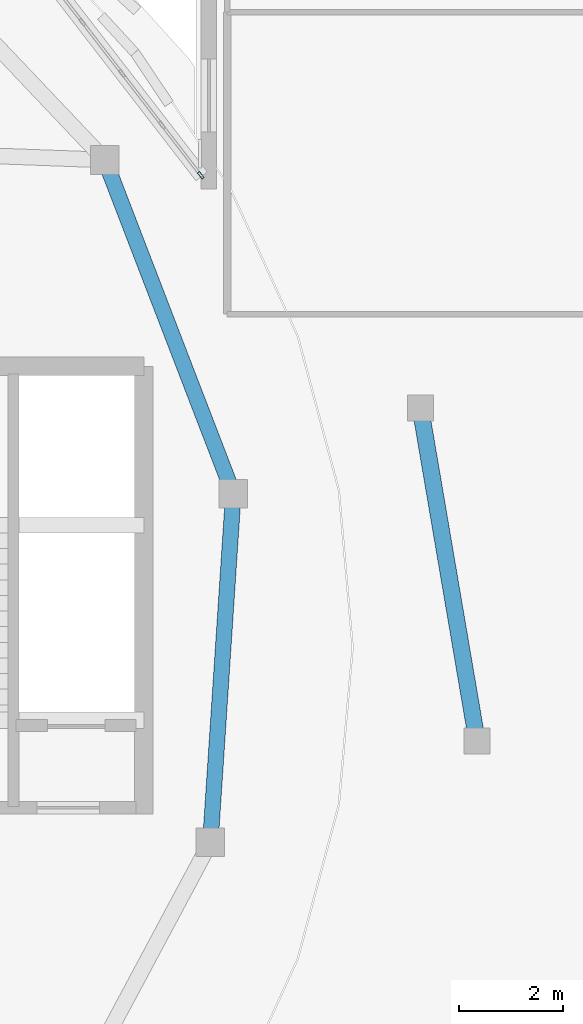
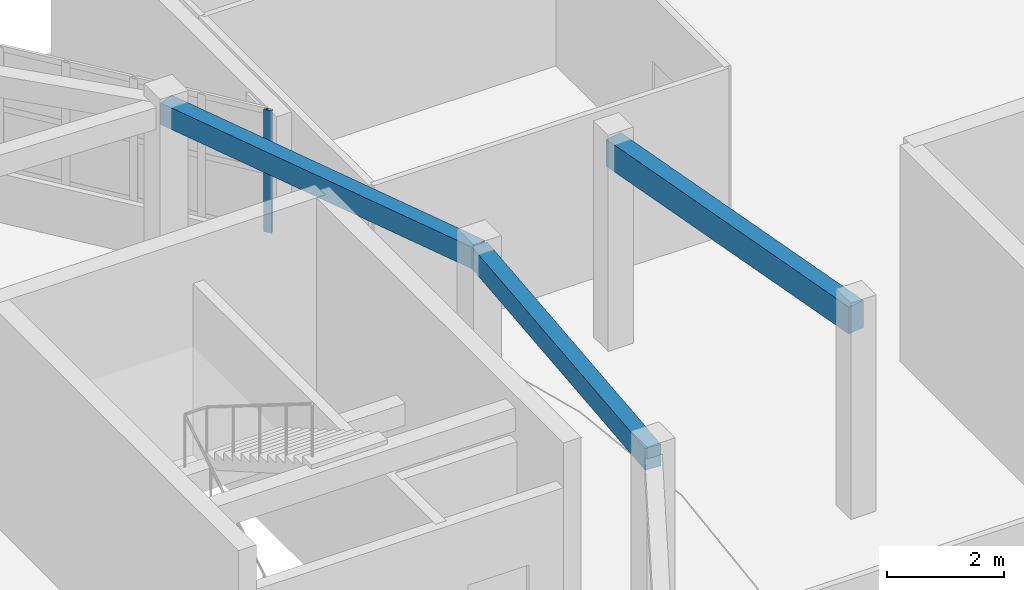
# One storey, part 24 of 46: 3 beams, 1 member, 1 element without a shape of its own.
"""IFC4 building model written with IfcOpenShell, lengths in metres."""

from ifc_helpers import new_model, si_unit, direction, frame, origin, origin_2d, place, context, subcontext, project, spatial, rectangle, hollow_rectangle, extrude, material, layer, layer_set, material_profile, profile_set, type_object, element, aggregate, save


model = new_model("IFC4")

# Units and contexts
model_context = context("Model", 3, precision=1e-05, world=origin(), true_north=direction((0.0, 1.0)))
body_context = subcontext(model_context, "Body", "Model", "MODEL_VIEW")
ifc_project = project(units=[si_unit("LENGTHUNIT", "METRE"), si_unit("AREAUNIT", "SQUARE_METRE"), si_unit("VOLUMEUNIT", "CUBIC_METRE"), si_unit("PLANEANGLEUNIT", "RADIAN"), si_unit("MASSUNIT", "GRAM", prefix="KILO")], contexts=[model_context])

# Site, building, storey
site_placement = place(None, origin())
site = spatial("IfcSite", under=ifc_project, at=site_placement, CompositionType="ELEMENT")
building_placement = place(site_placement, origin())
building = spatial("IfcBuilding", under=site, at=building_placement, Name="Pelvatis Terrace Science Centre", CompositionType="ELEMENT")
storey_placement = place(building_placement, frame((0.0, 0.0, 19.800048828125)))
storey = spatial("IfcBuildingStorey", under=building, at=storey_placement, Name="L04", CompositionType="ELEMENT", Elevation=19.800048828125)

# Beams
ifc_material_1 = material(Name="Concrete C35/45", Category="concrete")
ifc_material_profile_1 = material_profile(ifc_material_1, rectangle(XDim=0.300048828125, YDim=0.449951171875, at=origin_2d()), Name="RC-BM 300x450")
ifc_profile_set_1 = profile_set([ifc_material_profile_1], Name="Concrete C35/45")
beam_type_1 = type_object("IfcBeamType", Name="BM-RC-300x450", PredefinedType="BEAM", material=ifc_profile_set_1)
beam_1_placement = place(storey_placement, frame((133.31884765625, 87.552001953125, 4.02490234375), z_axis=(-0.359224405227, 0.933251213066, 0.0), x_axis=(-0.933251213066, -0.359224405227, 0.0)))
element("IfcBeam", 1, at=beam_1_placement, inside=storey, type_object=beam_type_1, Name="Beam BM-L04-3074", PredefinedType="BEAM", context=body_context, shape_type="SweptSolid", body=[
    extrude(rectangle(XDim=0.300048828125, YDim=0.449951171875, at=origin_2d()), origin(), (0.0, 0.0, 1.0), 6.868408203125),
])
beam_2_placement = place(storey_placement, frame((133.31884765625, 87.552001953125, 4.02490234375), z_axis=(-0.065837804337, -0.997830338044, 0.0), x_axis=(0.997830338044, -0.065837804337, 0.0)))
element("IfcBeam", 2, at=beam_2_placement, inside=storey, type_object=beam_type_1, Name="Beam BM-L04-3075", PredefinedType="BEAM", context=body_context, shape_type="SweptSolid", body=[
    extrude(rectangle(XDim=0.300048828125, YDim=0.449951171875, at=origin_2d()), origin(), (0.0, 0.0, 1.0), 6.708251953125),
])

# Curtain wall, member
ifc_material_2 = material(Name="Bronze-anodised aluminium and laminated glass", Category="aluminium")
ifc_layer = layer(ifc_material_2, 0.14990234375)
ifc_layer_set = layer_set([ifc_layer], Name="Bronze-anodised aluminium and laminated glass")
curtain_wall_type = type_object("IfcCurtainWallType", Name="CW-PASSAGE-C", PredefinedType="NOTDEFINED", material=ifc_layer_set)
curtain_wall_placement = place(storey_placement, origin())
curtain_wall = element("IfcCurtainWall", 3, at=curtain_wall_placement, inside=storey, type_object=curtain_wall_type, Name="Ribbon curtain wall CW-213 (L04)", PredefinedType="NOTDEFINED")
ifc_material_3 = material(Name="Bronze-anodised aluminium 6063-T6", Category="aluminium")
ifc_material_profile_2 = material_profile(ifc_material_3, hollow_rectangle(XDim=0.054931640625, YDim=0.14990234375, WallThickness=0.00390625, at=origin_2d()), Name="ALU-MUL 55x150")
ifc_profile_set_2 = profile_set([ifc_material_profile_2], Name="Bronze-anodised aluminium 6063-T6")
member_type = type_object("IfcMemberType", Name="CWM-55x150", PredefinedType="MULLION", material=ifc_profile_set_2)
member_placement = place(storey_placement, frame((132.693115234375, 93.668212890625, 1.02001953125), z_axis=(0.0, 0.0, 1.0), x_axis=(-0.791180678019, -0.611582483994, 0.0)))
member = element("IfcMember", 4, at=member_placement, type_object=member_type, Name="CW-213 mullion 1", PredefinedType="MULLION", context=body_context, shape_type="SweptSolid", body=[
    extrude(hollow_rectangle(XDim=0.054931640625, YDim=0.14990234375, WallThickness=0.00390625, at=origin_2d()), origin(), (0.0, 0.0, 1.0), 2.550048828125),
])
aggregate(curtain_wall, [member])

# Beam
ifc_material_4 = material(Name="Concrete C35/45", Category="concrete")
ifc_material_profile_3 = material_profile(ifc_material_4, rectangle(XDim=0.320068359375, YDim=0.56005859375, at=origin_2d()), Name="RC-SPN 320x560")
ifc_profile_set_3 = profile_set([ifc_material_profile_3], Name="Concrete C35/45")
beam_type_2 = type_object("IfcBeamType", Name="SPN-RC-320x560", PredefinedType="SPANDREL", material=ifc_profile_set_3)
beam_3_placement = place(storey_placement, frame((138.0, 82.800048828125, 3.969970703125), z_axis=(-0.167955755204, 0.985794534522, 0.0), x_axis=(-0.985794534522, -0.167955755204, 0.0)))
element("IfcBeam", 5, at=beam_3_placement, inside=storey, type_object=beam_type_2, Name="Spandrel SP-L04-3107", PredefinedType="SPANDREL", context=body_context, shape_type="SweptSolid", body=[
    extrude(rectangle(XDim=0.320068359375, YDim=0.56005859375, at=origin_2d()), origin(), (0.0, 0.0, 1.0), 6.4873046875),
])

save(model, "model.ifc")
